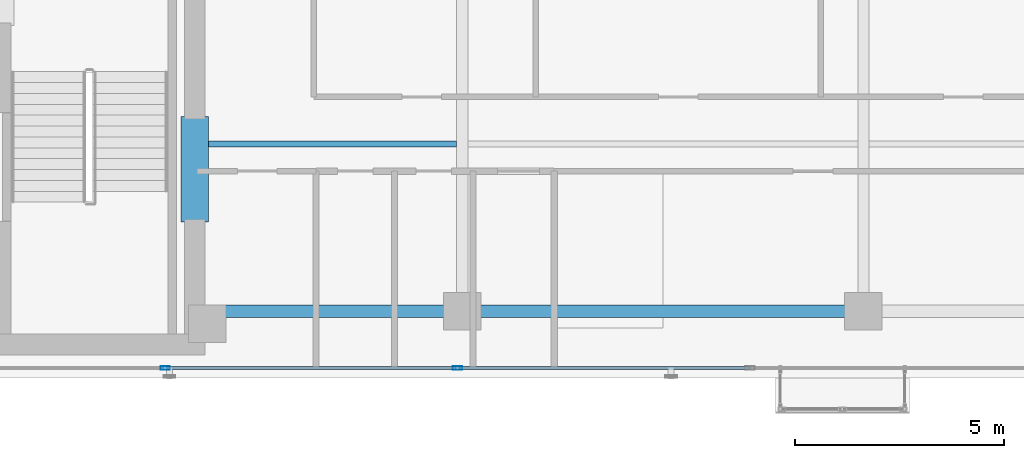
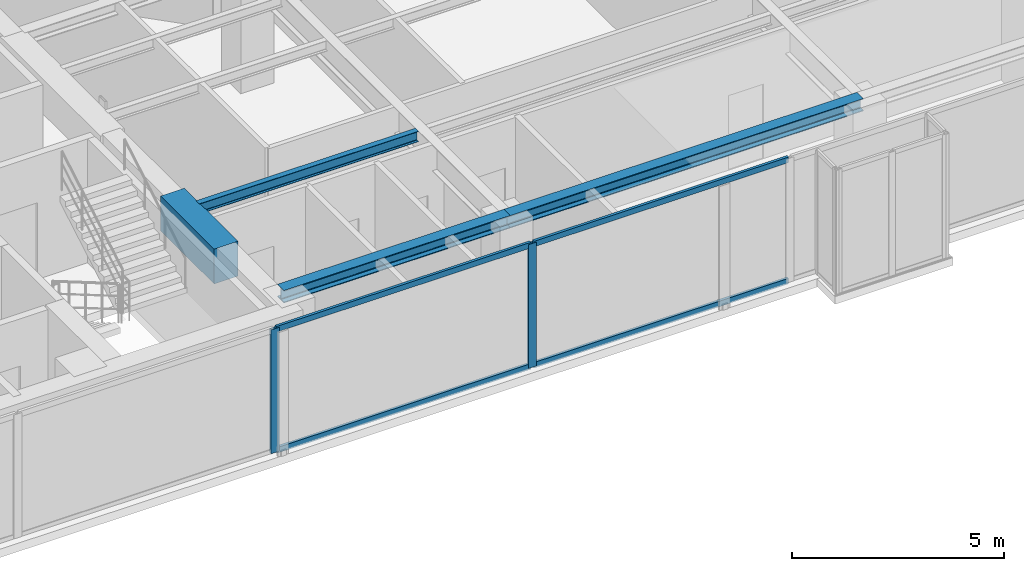
# One storey, part 4 of 24: 6 members, 4 beams, 1 element without a shape of its own.
"""IFC4 building model written with IfcOpenShell, lengths in metres."""

from ifc_helpers import new_model, si_unit, direction, frame, origin, origin_with_axes, origin_2d, place, context, subcontext, project, spatial, rectangle, hollow_rectangle, i_section, extrude, source, transform, mapped, material, layer, layer_set, material_profile, profile_set, type_object, element, aggregate, save


model = new_model("IFC4")

# Units and contexts
model_context = context("Model", 3, precision=1e-05, world=origin(), true_north=direction((0.0, 1.0)))
body_context = subcontext(model_context, "Body", "Model", "MODEL_VIEW")
ifc_project = project(units=[si_unit("LENGTHUNIT", "METRE"), si_unit("AREAUNIT", "SQUARE_METRE"), si_unit("VOLUMEUNIT", "CUBIC_METRE"), si_unit("PLANEANGLEUNIT", "RADIAN"), si_unit("MASSUNIT", "GRAM", prefix="KILO")], contexts=[model_context])

# Site, building, storey
site_placement = place(None, origin())
site = spatial("IfcSite", under=ifc_project, at=site_placement, CompositionType="ELEMENT")
building_placement = place(site_placement, origin())
building = spatial("IfcBuilding", under=site, at=building_placement, Name="Kolvaren Waterfront Exchange", CompositionType="ELEMENT")
storey_placement = place(building_placement, frame((0.0, 0.0, 285.60009765625)))
storey = spatial("IfcBuildingStorey", under=building, at=storey_placement, Name="L73", CompositionType="ELEMENT", Elevation=285.60009765625)

# Beams
ifc_material_1 = material(Name="Steel S355", Category="steel")
ifc_material_profile_1 = material_profile(ifc_material_1, i_section(OverallWidth=0.300048828125, OverallDepth=0.360107421875, WebThickness=0.012451171875, FlangeThickness=0.0224609375, FilletRadius=0.027099609375, at=origin_2d()), Name="HEB360")
ifc_profile_set_1 = profile_set([ifc_material_profile_1], Name="Steel S355")
beam_type_1 = type_object("IfcBeamType", Name="STR-BM-HEB360", PredefinedType="SPANDREL", material=ifc_profile_set_1)
beam_1_placement = place(storey_placement, frame((21.050048828125, 5.199951171875, 3.3798828125), z_axis=(1.0, 0.0, 0.0), x_axis=(0.0, 1.0, 0.0)))
element("IfcBeam", 1, at=beam_1_placement, inside=storey, type_object=beam_type_1, Name="L73 east-arm spandrel S1", PredefinedType="SPANDREL", context=body_context, shape_type="SweptSolid", body=[
    extrude(i_section(OverallWidth=0.300048828125, OverallDepth=0.360107421875, WebThickness=0.012451171875, FlangeThickness=0.0224609375, FilletRadius=0.027099609375, at=origin_2d()), origin(), (0.0, 0.0, 1.0), 6.14990234375),
])
beam_2_placement = place(storey_placement, frame((27.199951171875, 5.199951171875, 3.3798828125), z_axis=(1.0, 0.0, 0.0), x_axis=(0.0, 1.0, 0.0)))
element("IfcBeam", 2, at=beam_2_placement, inside=storey, type_object=beam_type_1, Name="L73 east-arm spandrel S2", PredefinedType="SPANDREL", context=body_context, shape_type="SweptSolid", body=[
    extrude(i_section(OverallWidth=0.300048828125, OverallDepth=0.360107421875, WebThickness=0.012451171875, FlangeThickness=0.0224609375, FilletRadius=0.027099609375, at=origin_2d()), origin(), (0.0, 0.0, 1.0), 9.60009765625),
])
ifc_material_profile_2 = material_profile(ifc_material_1, i_section(OverallWidth=0.14990234375, OverallDepth=0.300048828125, WebThickness=0.007080078125, FlangeThickness=0.0107421875, FilletRadius=0.014892578125, at=origin_2d()), Name="IPE300")
ifc_profile_set_2 = profile_set([ifc_material_profile_2], Name="Steel S355")
beam_type_2 = type_object("IfcBeamType", Name="STR-BM-IPE300", PredefinedType="JOIST", material=ifc_profile_set_2)
beam_3_placement = place(storey_placement, frame((21.10009765625, 9.199951171875, 3.409912109375), z_axis=(1.0, 0.0, 0.0), x_axis=(0.0, 1.0, 0.0)))
element("IfcBeam", 3, at=beam_3_placement, inside=storey, type_object=beam_type_2, Name="L73 east-arm composite joist 1B", PredefinedType="JOIST", context=body_context, shape_type="SweptSolid", body=[
    extrude(i_section(OverallWidth=0.14990234375, OverallDepth=0.300048828125, WebThickness=0.007080078125, FlangeThickness=0.0107421875, FilletRadius=0.014892578125, at=origin_2d()), origin(), (0.0, 0.0, 1.0), 5.96435546875),
])
ifc_material_2 = material(Name="Concrete C60/75", Category="concrete")
ifc_material_profile_3 = material_profile(ifc_material_2, rectangle(XDim=0.64990234375, YDim=1.0, at=origin_2d()), Name="RC-CB-1000x650")
ifc_profile_set_3 = profile_set([ifc_material_profile_3], Name="Concrete C60/75")
beam_type_3 = type_object("IfcBeamType", Name="STR-CB-1000", PredefinedType="SPANDREL", material=ifc_profile_set_3)
beam_4_placement = place(storey_placement, frame((20.800048828125, 7.340087890625, 3.059814453125), z_axis=(0.0, 1.0, 0.0), x_axis=(-1.0, 0.0, 0.0)))
element("IfcBeam", 4, at=beam_4_placement, inside=storey, type_object=beam_type_3, Name="L73 core coupling beam 1", PredefinedType="SPANDREL", context=body_context, shape_type="SweptSolid", body=[
    extrude(rectangle(XDim=0.64990234375, YDim=1.0, at=origin_2d()), origin(), (0.0, 0.0, 1.0), 2.52001953125),
])

# Curtain wall, members
ifc_material_3 = material(Name="Anodised bronze aluminium 6063-T6", Category="aluminium")
ifc_layer = layer(ifc_material_3, 0.219970703125, Name="Anodised bronze aluminium 6063-T6")
ifc_layer_set = layer_set([ifc_layer], Name="Anodised bronze aluminium 6063-T6")
curtain_wall_type = type_object("IfcCurtainWallType", Name="ARC-CW-SYS1", PredefinedType="USERDEFINED", material=ifc_layer_set)
curtain_wall_placement = place(storey_placement, origin())
curtain_wall = element("IfcCurtainWall", 5, at=curtain_wall_placement, inside=storey, type_object=curtain_wall_type, Name="L73 stick curtain wall CW1 (CW-L73-S)", ObjectType="STICK CURTAIN WALL", PredefinedType="USERDEFINED")
ifc_material_4 = material(Name="Anodised aluminium 6063-T6", Category="aluminium")
ifc_material_profile_4 = material_profile(ifc_material_4, hollow_rectangle(XDim=0.080078125, YDim=0.219970703125, WallThickness=0.0048828125, at=origin_2d()), Name="ALU-MUL-220x80x5")
ifc_profile_set_4 = profile_set([ifc_material_profile_4], Name="Anodised aluminium 6063-T6")
member_type_1 = type_object("IfcMemberType", Name="ARC-CWM-220", PredefinedType="MULLION", material=ifc_profile_set_4)
shared_shape_1 = source(origin_with_axes(), body_context, "Body", "SweptSolid", [
    extrude(hollow_rectangle(XDim=0.080078125, YDim=0.219970703125, WallThickness=0.0048828125, at=origin_2d()), origin(), (0.0, 0.0, 1.0), 3.559814453125),
])
member_1_placement = place(storey_placement, frame((20.093017578125, 3.840087890625, 0.0), z_axis=(0.0, 0.0, 1.0), x_axis=(0.0, 1.0, 0.0)))
member_1 = element("IfcMember", 6, at=member_1_placement, type_object=member_type_1, Name="CW1 mullion 3", PredefinedType="MULLION", context=body_context, shape_type="MappedRepresentation", body=[
    mapped(shared_shape_1, transform((0.0, 0.0, 0.0), x_axis=(1.0, 0.0, 0.0), y_axis=(0.0, 1.0, 0.0), z_axis=(0.0, 0.0, 1.0), scale=1.0)),
])
member_2_placement = place(storey_placement, frame((27.08935546875, 3.840087890625, 0.0), z_axis=(0.0, 0.0, 1.0), x_axis=(0.0, 1.0, 0.0)))
member_2 = element("IfcMember", 7, at=member_2_placement, type_object=member_type_1, Name="CW1 mullion 4", PredefinedType="MULLION", context=body_context, shape_type="MappedRepresentation", body=[
    mapped(shared_shape_1, transform((0.0, 0.0, 0.0), x_axis=(1.0, 0.0, 0.0), y_axis=(0.0, 1.0, 0.0), z_axis=(0.0, 0.0, 1.0), scale=1.0)),
])
ifc_material_profile_5 = material_profile(ifc_material_4, hollow_rectangle(XDim=0.074951171875, YDim=0.159912109375, WallThickness=0.00439453125, at=origin_2d()), Name="ALU-TRN-160x75x4.5")
ifc_profile_set_5 = profile_set([ifc_material_profile_5], Name="Anodised aluminium 6063-T6")
member_type_2 = type_object("IfcMemberType", Name="ARC-CWT-160", PredefinedType="USERDEFINED", material=ifc_profile_set_5)
shared_shape_2 = source(origin_with_axes(), body_context, "Body", "SweptSolid", [
    extrude(hollow_rectangle(XDim=0.074951171875, YDim=0.159912109375, WallThickness=0.00439453125, at=origin_2d()), origin(), (0.0, 0.0, 1.0), 6.91650390625),
])
member_3_placement = place(storey_placement, frame((20.133056640625, 3.840087890625, 0.037353515625), z_axis=(1.0, 0.0, 0.0), x_axis=(0.0, 1.0, 0.0)))
member_3 = element("IfcMember", 8, at=member_3_placement, type_object=member_type_2, Name="CW1 transom 3.1", ObjectType="TRANSOM", PredefinedType="USERDEFINED", context=body_context, shape_type="MappedRepresentation", body=[
    mapped(shared_shape_2, transform((0.0, 0.0, 0.0), x_axis=(1.0, 0.0, 0.0), y_axis=(0.0, 1.0, 0.0), z_axis=(0.0, 0.0, 1.0), scale=1.0)),
])
member_4_placement = place(storey_placement, frame((20.133056640625, 3.840087890625, 3.5224609375), z_axis=(1.0, 0.0, 0.0), x_axis=(0.0, 1.0, 0.0)))
member_4 = element("IfcMember", 9, at=member_4_placement, type_object=member_type_2, Name="CW1 transom 3.2", ObjectType="TRANSOM", PredefinedType="USERDEFINED", context=body_context, shape_type="MappedRepresentation", body=[
    mapped(shared_shape_2, transform((0.0, 0.0, 0.0), x_axis=(1.0, 0.0, 0.0), y_axis=(0.0, 1.0, 0.0), z_axis=(0.0, 0.0, 1.0), scale=1.0)),
])
member_5_placement = place(storey_placement, frame((27.12939453125, 3.840087890625, 0.037353515625), z_axis=(1.0, 0.0, 0.0), x_axis=(0.0, 1.0, 0.0)))
member_5 = element("IfcMember", 10, at=member_5_placement, type_object=member_type_2, Name="CW1 transom 4.1", ObjectType="TRANSOM", PredefinedType="USERDEFINED", context=body_context, shape_type="MappedRepresentation", body=[
    mapped(shared_shape_2, transform((0.0, 0.0, 0.0), x_axis=(1.0, 0.0, 0.0), y_axis=(0.0, 1.0, 0.0), z_axis=(0.0, 0.0, 1.0), scale=1.0)),
])
member_6_placement = place(storey_placement, frame((27.12939453125, 3.840087890625, 3.5224609375), z_axis=(1.0, 0.0, 0.0), x_axis=(0.0, 1.0, 0.0)))
member_6 = element("IfcMember", 11, at=member_6_placement, type_object=member_type_2, Name="CW1 transom 4.2", ObjectType="TRANSOM", PredefinedType="USERDEFINED", context=body_context, shape_type="MappedRepresentation", body=[
    mapped(shared_shape_2, transform((0.0, 0.0, 0.0), x_axis=(1.0, 0.0, 0.0), y_axis=(0.0, 1.0, 0.0), z_axis=(0.0, 0.0, 1.0), scale=1.0)),
])
aggregate(curtain_wall, [member_1, member_2, member_3, member_4, member_5, member_6])

save(model, "model.ifc")
